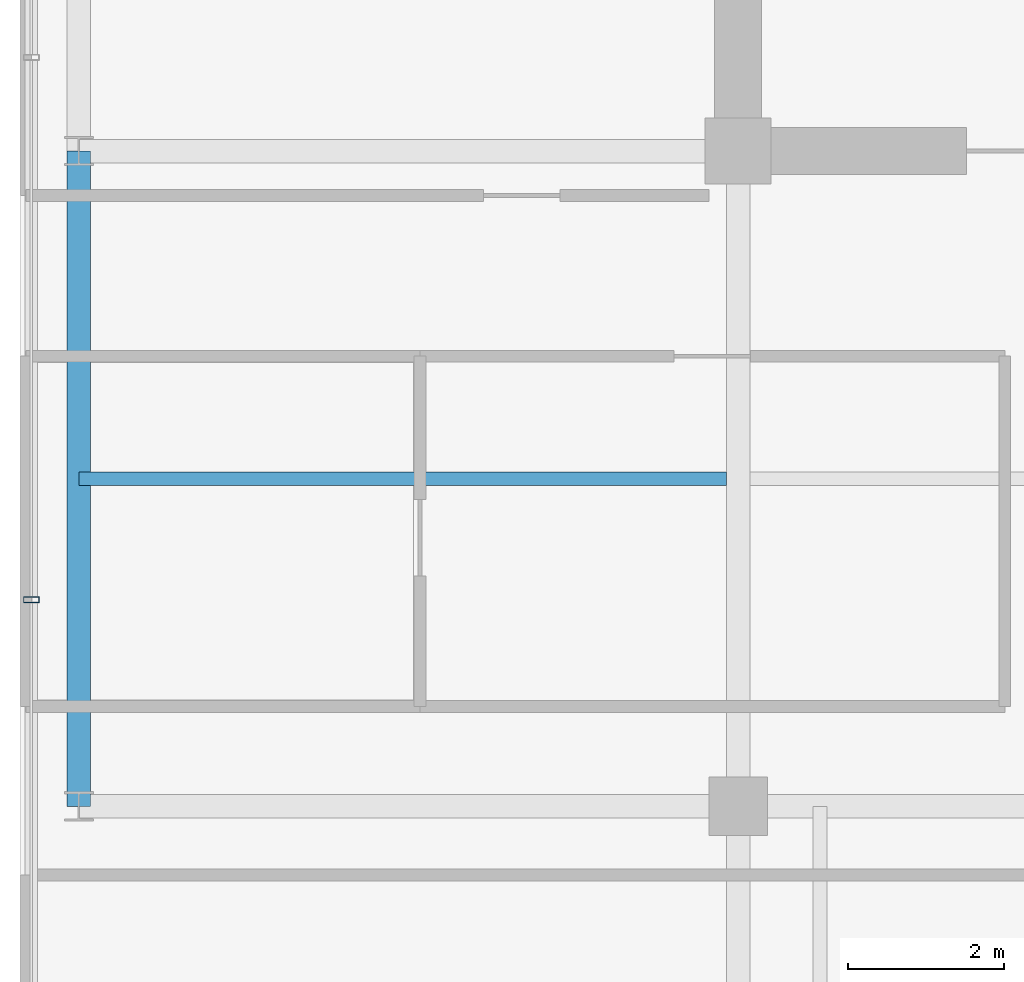
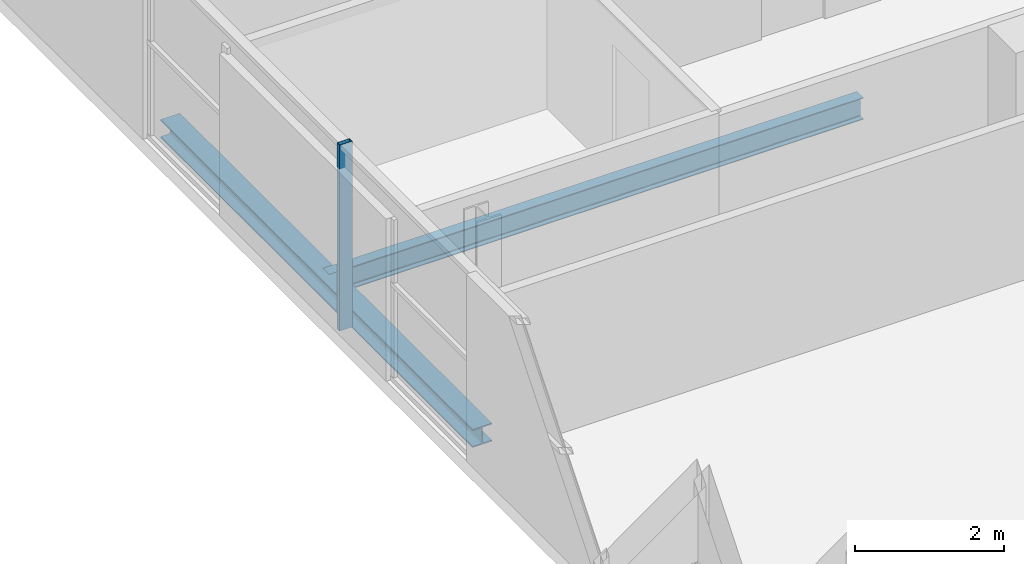
# One storey, part 4 of 23: 2 beams, 1 member, 1 element without a shape of its own.
"""IFC4 building model written with IfcOpenShell, lengths in metres."""

from ifc_helpers import new_model, si_unit, direction, frame, origin, origin_2d, place, context, subcontext, project, spatial, hollow_rectangle, i_section, extrude, source, transform, mapped, material, layer, layer_set, material_profile, profile_set, type_object, element, aggregate, save


model = new_model("IFC4")

# Units and contexts
model_context = context("Model", 3, precision=1e-05, world=origin(), true_north=direction((0.0, 1.0)))
body_context = subcontext(model_context, "Body", "Model", "MODEL_VIEW")
ifc_project = project(units=[si_unit("LENGTHUNIT", "METRE"), si_unit("AREAUNIT", "SQUARE_METRE"), si_unit("VOLUMEUNIT", "CUBIC_METRE"), si_unit("PLANEANGLEUNIT", "RADIAN"), si_unit("MASSUNIT", "GRAM", prefix="KILO")], contexts=[model_context])

# Site, building, storey
site_placement = place(None, origin())
site = spatial("IfcSite", under=ifc_project, at=site_placement, CompositionType="ELEMENT")
building_placement = place(site_placement, origin())
building = spatial("IfcBuilding", under=site, at=building_placement, Name="Zarnakvel Exchange Tower", CompositionType="ELEMENT")
storey_placement = place(building_placement, frame((0.0, 0.0, 218.800048828125)))
storey = spatial("IfcBuildingStorey", under=building, at=storey_placement, Name="L61", CompositionType="ELEMENT", Elevation=218.800048828125)

# Beams
ifc_material_1 = material(Name="Steel S355", Category="steel")
ifc_material_profile_1 = material_profile(ifc_material_1, i_section(OverallWidth=0.169921875, OverallDepth=0.360107421875, WebThickness=0.008056640625, FlangeThickness=0.0126953125, FilletRadius=0.01806640625, at=origin_2d()))
ifc_profile_set_1 = profile_set([ifc_material_profile_1], Name="Steel S355")
beam_type_1 = type_object("IfcBeamType", Name="B-07", PredefinedType="JOIST", material=ifc_profile_set_1)
beam_1_placement = place(storey_placement, frame((-22.85009765625, -5.39990234375, -0.405029296875), z_axis=(1.0, 0.0, 0.0), x_axis=(0.0, 1.0, 0.0)))
element("IfcBeam", 1, at=beam_1_placement, inside=storey, type_object=beam_type_1, Name="L61 Composite Floor Secondary Joist", PredefinedType="JOIST", context=body_context, shape_type="SweptSolid", body=[
    extrude(i_section(OverallWidth=0.169921875, OverallDepth=0.360107421875, WebThickness=0.008056640625, FlangeThickness=0.0126953125, FilletRadius=0.01806640625, at=origin_2d()), origin(), (0.0, 0.0, 1.0), 8.300048828125),
])
ifc_material_profile_2 = material_profile(ifc_material_1, i_section(OverallWidth=0.300048828125, OverallDepth=0.300048828125, WebThickness=0.010986328125, FlangeThickness=0.01904296875, FilletRadius=0.027099609375, at=origin_2d()))
ifc_profile_set_2 = profile_set([ifc_material_profile_2], Name="Steel S355")
beam_type_2 = type_object("IfcBeamType", Name="SP-03", PredefinedType="SPANDREL", material=ifc_profile_set_2)
beam_2_placement = place(storey_placement, frame((-22.85009765625, -9.60009765625, -0.375), z_axis=(0.0, 1.0, 0.0), x_axis=(-1.0, 0.0, 0.0)))
element("IfcBeam", 2, at=beam_2_placement, inside=storey, type_object=beam_type_2, Name="L61 Tower N-S Frame Beam", PredefinedType="SPANDREL", context=body_context, shape_type="SweptSolid", body=[
    extrude(i_section(OverallWidth=0.300048828125, OverallDepth=0.300048828125, WebThickness=0.010986328125, FlangeThickness=0.01904296875, FilletRadius=0.027099609375, at=origin_2d()), origin(), (0.0, 0.0, 1.0), 8.400146484375),
])

# Curtain wall, member
ifc_material_2 = material(Name="Architectural Bronze Anodised Aluminium", Category="aluminium")
ifc_layer = layer(ifc_material_2, 0.199951171875)
ifc_layer_set = layer_set([ifc_layer], Name="Architectural Bronze Anodised Aluminium")
curtain_wall_type = type_object("IfcCurtainWallType", Name="CW-04", PredefinedType="NOTDEFINED", material=ifc_layer_set)
curtain_wall_placement = place(storey_placement, origin())
curtain_wall = element("IfcCurtainWall", 3, at=curtain_wall_placement, inside=storey, type_object=curtain_wall_type, Name="L61 Curtain Wall CW-L61-W1 (CW-04)", PredefinedType="NOTDEFINED")
ifc_material_profile_3 = material_profile(ifc_material_2, hollow_rectangle(XDim=0.199951171875, YDim=0.074951171875, WallThickness=0.0048828125, at=origin_2d()))
ifc_profile_set_3 = profile_set([ifc_material_profile_3], Name="Architectural Bronze Anodised Aluminium")
member_type = type_object("IfcMemberType", Name="CWM-04", PredefinedType="MULLION", material=ifc_profile_set_3)
shared_shape = source(origin(), body_context, "Body", "SweptSolid", [
    extrude(hollow_rectangle(XDim=0.199951171875, YDim=0.074951171875, WallThickness=0.0048828125, at=origin_2d()), origin(), (0.0, 0.0, 1.0), 3.054931640625),
])
member_placement = place(storey_placement, frame((-23.4599609375, -6.949951171875, 0.0), z_axis=(0.0, 0.0, 1.0), x_axis=(-1.0, 0.0, 0.0)))
member = element("IfcMember", 4, at=member_placement, type_object=member_type, Name="CW-04 mullion 2", PredefinedType="MULLION", context=body_context, shape_type="MappedRepresentation", body=[
    mapped(shared_shape, transform((0.0, 0.0, 0.0), x_axis=(1.0, 0.0, 0.0), y_axis=(0.0, 1.0, 0.0), z_axis=(0.0, 0.0, 1.0), scale=1.0)),
])
aggregate(curtain_wall, [member])

save(model, "model.ifc")
